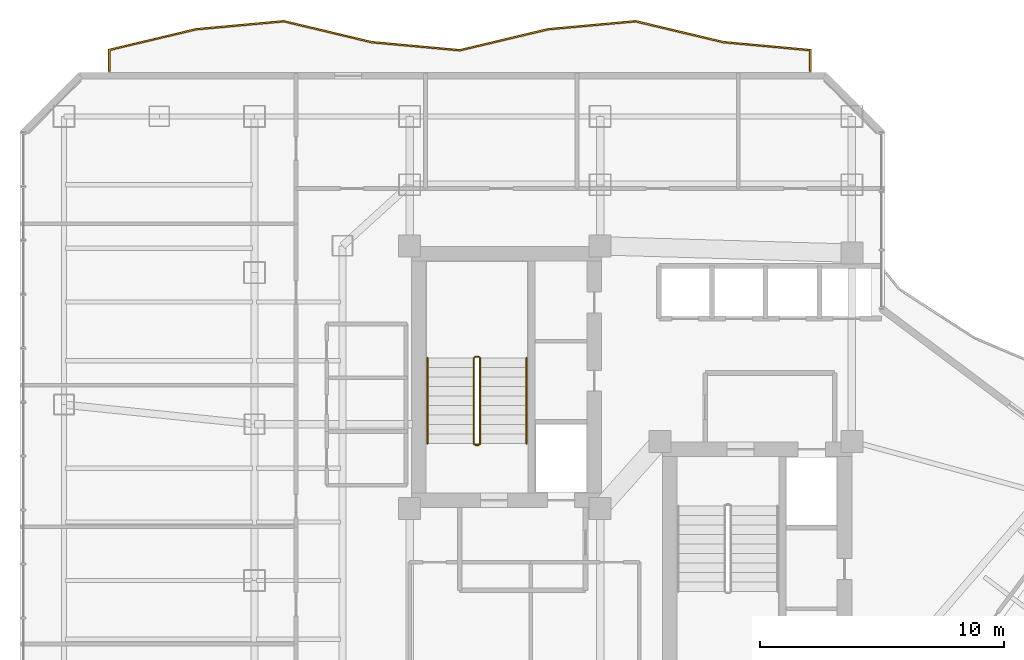
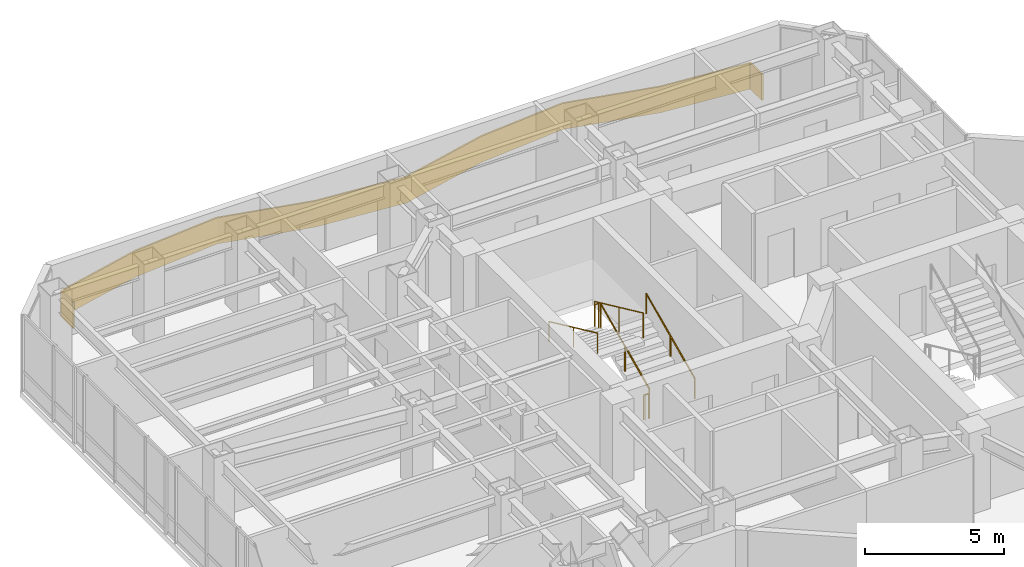
# One storey, part 30 of 31: 8 railings.
"""IFC4 building model written with IfcOpenShell, lengths in metres."""

from ifc_helpers import new_model, si_unit, direction, frame, origin, origin_2d, place, context, subcontext, project, spatial, polyline, circle, outline, extrude, material, layer, layer_set, type_object, element, save


model = new_model("IFC4")

# Units and contexts
model_context = context("Model", 3, precision=1e-05, world=origin(), true_north=direction((0.0, 1.0)))
body_context = subcontext(model_context, "Body", "Model", "MODEL_VIEW")
ifc_project = project(units=[si_unit("LENGTHUNIT", "METRE"), si_unit("AREAUNIT", "SQUARE_METRE"), si_unit("VOLUMEUNIT", "CUBIC_METRE"), si_unit("PLANEANGLEUNIT", "RADIAN"), si_unit("MASSUNIT", "GRAM", prefix="KILO")], contexts=[model_context])

# Site, building, storey
site_placement = place(None, origin())
site = spatial("IfcSite", under=ifc_project, at=site_placement, CompositionType="ELEMENT")
building_placement = place(site_placement, origin())
building = spatial("IfcBuilding", under=site, at=building_placement, Name="Hatsunagi Terrace Concourse", CompositionType="ELEMENT")
storey_placement = place(building_placement, frame((0.0, 0.0, 112.050048828125)))
storey = spatial("IfcBuildingStorey", under=building, at=storey_placement, Name="L29", CompositionType="ELEMENT", Elevation=112.050048828125)

# Railings
ifc_material_1 = material(Name="Laminated Glass and Stainless Steel Guard", Category="steel")
ifc_layer_1 = layer(ifc_material_1, 0.070068359375)
ifc_layer_set_1 = layer_set([ifc_layer_1], Name="BalconyGlassGuardRail_1150")
railing_type_1 = type_object("IfcRailingType", Name="BalconyGlassGuardRail_1150", PredefinedType="BALUSTRADE", material=ifc_layer_set_1)
railing_1_placement = place(storey_placement, origin())
element("IfcRailing", 1, at=railing_1_placement, inside=storey, type_object=railing_type_1, Name="Engawa Balcony Guard GRD-01 L29-BN-1", PredefinedType="BALUSTRADE", context=body_context, shape_type="SweptSolid", body=[
    extrude(outline(polyline([(13.215087890625, 50.449951171875), (13.284912109375, 50.449951171875), (13.284912109375, 51.289306640625), (16.813720703125, 52.13037109375), (20.3935546875, 52.45751953125), (23.986328125, 51.602294921875), (27.6064453125, 51.26953125), (31.213623046875, 52.13037109375), (34.79345703125, 52.45751953125), (38.38623046875, 51.602294921875), (41.9150390625, 51.278076171875), (41.9150390625, 50.449951171875), (41.985107421875, 50.449951171875), (41.985107421875, 51.341796875), (38.397705078125, 51.671630859375), (34.798583984375, 52.5283203125), (31.202392578125, 52.19970703125), (27.6015625, 51.34033203125), (23.997802734375, 51.671630859375), (20.3984375, 52.5283203125), (16.80224609375, 52.19970703125), (13.215087890625, 51.344482421875), (13.215087890625, 50.449951171875)])), origin(), (0.0, 0.0, 1.0), 1.14990234375),
])
ifc_material_2 = material(Name="Stainless steel", Category="steel")
ifc_layer_2 = layer(ifc_material_2, 0.044921875)
ifc_layer_set_2 = layer_set([ifc_layer_2], Name="StairPitchHandrail_Tower2000")
railing_type_2 = type_object("IfcRailingType", Name="StairPitchHandrail_Tower2000", PredefinedType="HANDRAIL", material=ifc_layer_set_2)
railing_2_placement = place(storey_placement, frame((30.330078125, 35.199951171875, 0.179931640625)))
element("IfcRailing", 2, at=railing_2_placement, inside=storey, type_object=railing_type_2, Name="L29 ST-A stair handrail 1", PredefinedType="HANDRAIL", context=body_context, shape_type="SweptSolid", body=[
    extrude(circle(Radius=0.02392578125, at=origin_2d()), frame((0.0, 0.0, 0.8759765625), z_axis=(0.0, 0.907948293929, 0.419082206198), x_axis=(-1.0, 0.0, 0.0)), (0.0, 0.0, 1.0), 3.865966796875),
    extrude(circle(Radius=0.02099609375, at=origin_2d()), origin(), (0.0, 0.0, 1.0), 0.851806640625),
    extrude(circle(Radius=0.02099609375, at=origin_2d()), frame((0.0, 1.7548828125, 0.81005859375)), (0.0, 0.0, 1.0), 0.851806640625),
    extrude(circle(Radius=0.02099609375, at=origin_2d()), frame((0.0, 3.510009765625, 1.6201171875)), (0.0, 0.0, 1.0), 0.851806640625),
])
railing_3_placement = place(storey_placement, frame((26.280029296875, 38.7099609375, 1.97998046875)))
element("IfcRailing", 3, at=railing_3_placement, inside=storey, type_object=railing_type_2, Name="L29 ST-A stair handrail 2", PredefinedType="HANDRAIL", context=body_context, shape_type="SweptSolid", body=[
    extrude(circle(Radius=0.02392578125, at=origin_2d()), frame((0.0, 0.0, 0.8759765625), z_axis=(0.0, -0.907972323039, 0.419030142823), x_axis=(1.0, 0.0, 0.0)), (0.0, 0.0, 1.0), 3.86572265625),
    extrude(circle(Radius=0.02099609375, at=origin_2d()), origin(), (0.0, 0.0, 1.0), 0.851806640625),
    extrude(circle(Radius=0.02099609375, at=origin_2d()), frame((0.0, -1.7548828125, 0.81005859375)), (0.0, 0.0, 1.0), 0.851806640625),
    extrude(circle(Radius=0.02099609375, at=origin_2d()), frame((0.0, -3.510009765625, 1.619873046875)), (0.0, 0.0, 1.0), 0.851806640625),
])
ifc_material_3 = material(Name="Stainless steel", Category="steel")
ifc_layer_3 = layer(ifc_material_3, 0.06005859375)
ifc_layer_set_3 = layer_set([ifc_layer_3], Name="StairWellGuard_Tower2000")
railing_type_3 = type_object("IfcRailingType", Name="StairWellGuard_Tower2000", PredefinedType="BALUSTRADE", material=ifc_layer_set_3)
railing_4_placement = place(storey_placement, frame((28.429931640625, 35.199951171875, 0.179931640625)))
element("IfcRailing", 4, at=railing_4_placement, inside=storey, type_object=railing_type_3, Name="L29 ST-A stair guard 1", PredefinedType="BALUSTRADE", context=body_context, shape_type="SweptSolid", body=[
    extrude(circle(Radius=0.02392578125, at=origin_2d()), frame((0.0, 0.0, 1.09619140625), z_axis=(0.0, 0.907948293929, 0.419082206198), x_axis=(-1.0, 0.0, 0.0)), (0.0, 0.0, 1.0), 3.865966796875),
    extrude(circle(Radius=0.02099609375, at=origin_2d()), origin(), (0.0, 0.0, 1.0), 1.072021484375),
    extrude(circle(Radius=0.02099609375, at=origin_2d()), frame((0.0, 1.7548828125, 0.81005859375)), (0.0, 0.0, 1.0), 1.072021484375),
    extrude(circle(Radius=0.02099609375, at=origin_2d()), frame((0.0, 3.510009765625, 1.6201171875)), (0.0, 0.0, 1.0), 1.072021484375),
])
railing_5_placement = place(storey_placement, frame((28.3798828125, 38.760009765625, 1.800048828125)))
element("IfcRailing", 5, at=railing_5_placement, inside=storey, type_object=railing_type_3, Name="L29 ST-A stair guard 2", PredefinedType="BALUSTRADE", context=body_context, shape_type="SweptSolid", body=[
    extrude(circle(Radius=0.02392578125, at=origin_2d()), frame((0.0, 0.0, 1.09619140625), z_axis=(-1.0, 0.0, 0.0), x_axis=(0.0, -1.0, 0.0)), (0.0, 0.0, 1.0), 0.14990234375),
    extrude(circle(Radius=0.02099609375, at=origin_2d()), origin(), (0.0, 0.0, 1.0), 1.072021484375),
    extrude(circle(Radius=0.02099609375, at=origin_2d()), frame((-0.14990234375, 0.0, 0.0)), (0.0, 0.0, 1.0), 1.072021484375),
])
railing_6_placement = place(storey_placement, frame((28.179931640625, 38.7099609375, 1.97998046875)))
element("IfcRailing", 6, at=railing_6_placement, inside=storey, type_object=railing_type_3, Name="L29 ST-A stair guard 3", PredefinedType="BALUSTRADE", context=body_context, shape_type="SweptSolid", body=[
    extrude(circle(Radius=0.02392578125, at=origin_2d()), frame((0.0, 0.0, 1.09619140625), z_axis=(0.0, -0.907972323039, 0.419030142823), x_axis=(1.0, 0.0, 0.0)), (0.0, 0.0, 1.0), 3.86572265625),
    extrude(circle(Radius=0.02099609375, at=origin_2d()), origin(), (0.0, 0.0, 1.0), 1.072021484375),
    extrude(circle(Radius=0.02099609375, at=origin_2d()), frame((0.0, -1.7548828125, 0.81005859375)), (0.0, 0.0, 1.0), 1.072021484375),
    extrude(circle(Radius=0.02099609375, at=origin_2d()), frame((0.0, -3.510009765625, 1.619873046875)), (0.0, 0.0, 1.0), 1.072021484375),
])
railing_7_placement = place(storey_placement, frame((28.3798828125, 35.14990234375, 0.0)))
element("IfcRailing", 7, at=railing_7_placement, inside=storey, type_object=railing_type_3, Name="L29 ST-A stair guard 4", PredefinedType="BALUSTRADE", context=body_context, shape_type="SweptSolid", body=[
    extrude(circle(Radius=0.02392578125, at=origin_2d()), frame((0.0, 0.0, 1.09619140625), z_axis=(-1.0, 0.0, 0.0), x_axis=(0.0, -1.0, 0.0)), (0.0, 0.0, 1.0), 0.14990234375),
    extrude(circle(Radius=0.02099609375, at=origin_2d()), origin(), (0.0, 0.0, 1.0), 1.072021484375),
    extrude(circle(Radius=0.02099609375, at=origin_2d()), frame((-0.14990234375, 0.0, 0.0)), (0.0, 0.0, 1.0), 1.072021484375),
])
ifc_material_4 = material(Name="Stainless Steel SUS316 Post-and-Rail Guard", Category="steel")
ifc_layer_4 = layer(ifc_material_4, 0.080078125)
ifc_layer_set_4 = layer_set([ifc_layer_4], Name="TerracePlantedGuardRail_1200")
railing_type_4 = type_object("IfcRailingType", Name="TerracePlantedGuardRail_1200", PredefinedType="GUARDRAIL", material=ifc_layer_set_4)
railing_8_placement = place(storey_placement, frame((28.179931640625, 35.179931640625, 0.0)))
element("IfcRailing", 8, at=railing_8_placement, inside=storey, type_object=railing_type_4, Name="Stair ST-A Well Closure Guard L29", PredefinedType="GUARDRAIL", context=body_context, shape_type="SweptSolid", body=[
    extrude(circle(Radius=0.02392578125, at=origin_2d()), frame((0.0, 0.0, 1.09619140625), z_axis=(1.0, 0.0, 0.0), x_axis=(0.0, 1.0, 0.0)), (0.0, 0.0, 1.0), 0.25),
    extrude(circle(Radius=0.02099609375, at=origin_2d()), origin(), (0.0, 0.0, 1.0), 1.072021484375),
    extrude(circle(Radius=0.02099609375, at=origin_2d()), frame((0.25, 0.0, 0.0)), (0.0, 0.0, 1.0), 1.072021484375),
])

save(model, "model.ifc")
